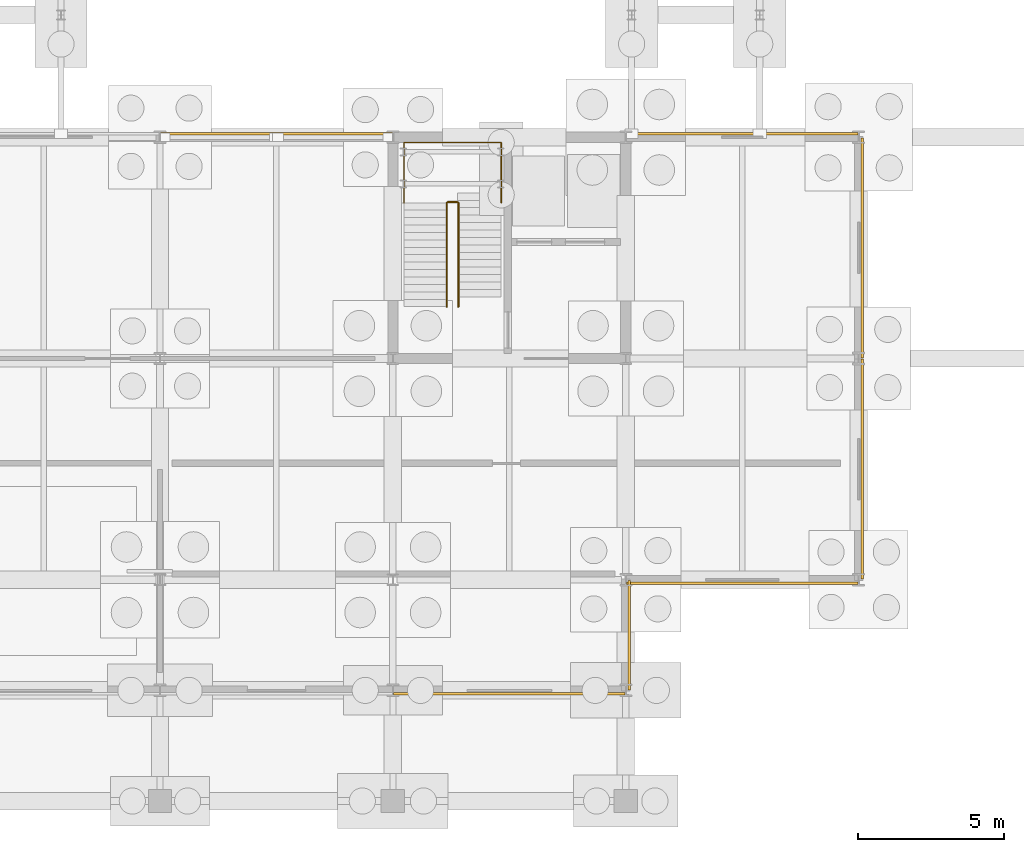
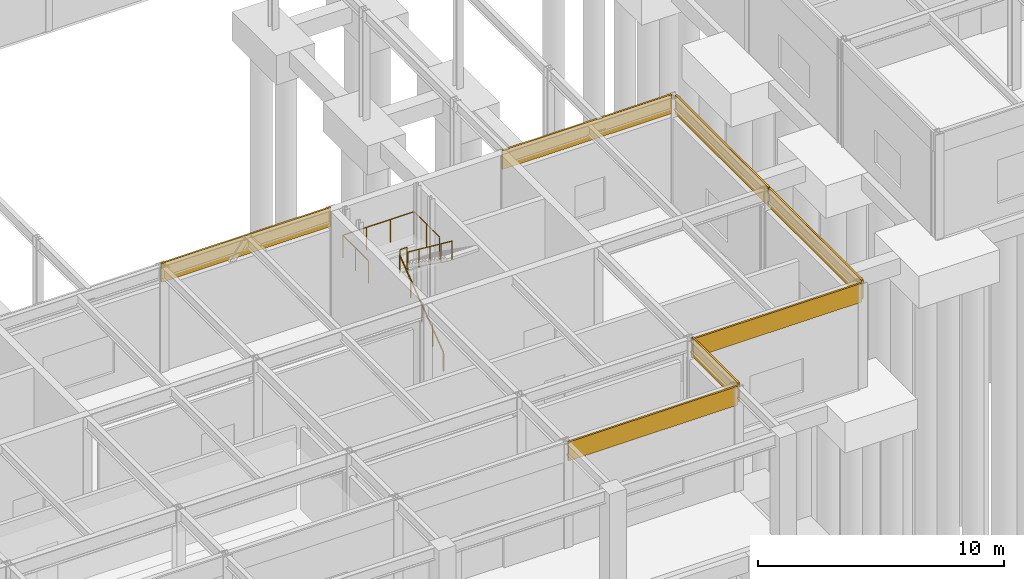
# One storey, part 53 of 62: 7 coverings, 4 railings.
"""IFC4 building model written with IfcOpenShell, lengths in metres."""

from ifc_helpers import new_model, si_unit, direction, frame, origin, origin_2d, place, context, subcontext, project, spatial, rectangle, circle, extrude, material, layer, layer_set, type_object, element, save


model = new_model("IFC4")

# Units and contexts
model_context = context("Model", 3, precision=1e-05, world=origin(), true_north=direction((0.0, 1.0)))
body_context = subcontext(model_context, "Body", "Model", "MODEL_VIEW")
ifc_project = project(units=[si_unit("LENGTHUNIT", "METRE"), si_unit("AREAUNIT", "SQUARE_METRE"), si_unit("VOLUMEUNIT", "CUBIC_METRE"), si_unit("PLANEANGLEUNIT", "RADIAN"), si_unit("MASSUNIT", "GRAM", prefix="KILO")], contexts=[model_context])

# Site, building, storey
site_placement = place(None, origin())
site = spatial("IfcSite", under=ifc_project, at=site_placement, CompositionType="ELEMENT")
building_placement = place(site_placement, origin())
building = spatial("IfcBuilding", under=site, at=building_placement, Name="Zulena Civic Courthouse", CompositionType="ELEMENT")
storey_placement = place(building_placement, origin())
storey = spatial("IfcBuildingStorey", under=building, at=storey_placement, Name="L00", CompositionType="ELEMENT", Elevation=0.0)

# Railings
ifc_material_1 = material(Name="Brushed architectural steel ASTM A36", Category="steel")
railing_type_1 = type_object("IfcRailingType", Name="InteriorGuardrail_1150", PredefinedType="GUARDRAIL", material=ifc_material_1)
railing_1_placement = place(storey_placement, frame((44.3798828125, 20.549560546875, 2.699951171875)))
element("IfcRailing", 1, at=railing_1_placement, inside=storey, type_object=railing_type_1, Name="gr:lnd:K2B:L00", PredefinedType="GUARDRAIL", context=body_context, shape_type="SweptSolid", body=[
    extrude(circle(Radius=0.02392578125, at=origin_2d()), frame((0.0, 0.00390625, 1.1259765625), z_axis=(0.0, 1.0, 0.0), x_axis=(-1.0, 0.0, 0.0)), (0.0, 0.0, 1.0), 2.0625),
    extrude(circle(Radius=0.02392578125, at=origin_2d()), frame((0.00390625, 2.070556640625, 1.1259765625), z_axis=(1.0, 0.0, 0.0), x_axis=(0.0, 1.0, 0.0)), (0.0, 0.0, 1.0), 3.33203125),
    extrude(circle(Radius=0.02392578125, at=origin_2d()), frame((3.340087890625, 2.066650390625, 1.1259765625), z_axis=(0.0, -1.0, 0.0), x_axis=(1.0, 0.0, 0.0)), (0.0, 0.0, 1.0), 2.0625),
    extrude(circle(Radius=0.02099609375, at=origin_2d()), origin(), (0.0, 0.0, 1.0), 1.097900390625),
    extrude(circle(Radius=0.02099609375, at=origin_2d()), frame((0.0, 1.03515625, 0.0)), (0.0, 0.0, 1.0), 1.097900390625),
    extrude(circle(Radius=0.02099609375, at=origin_2d()), frame((0.0, 2.070556640625, 0.0)), (0.0, 0.0, 1.0), 1.097900390625),
    extrude(circle(Radius=0.02099609375, at=origin_2d()), frame((1.11328125, 2.070556640625, 0.0)), (0.0, 0.0, 1.0), 1.097900390625),
    extrude(circle(Radius=0.02099609375, at=origin_2d()), frame((2.226806640625, 2.070556640625, 0.0)), (0.0, 0.0, 1.0), 1.097900390625),
    extrude(circle(Radius=0.02099609375, at=origin_2d()), frame((3.340087890625, 2.070556640625, 0.0)), (0.0, 0.0, 1.0), 1.097900390625),
    extrude(circle(Radius=0.02099609375, at=origin_2d()), frame((3.340087890625, 1.03515625, 0.0)), (0.0, 0.0, 1.0), 1.097900390625),
    extrude(circle(Radius=0.02099609375, at=origin_2d()), frame((3.340087890625, 0.0, 0.0)), (0.0, 0.0, 1.0), 1.097900390625),
])
railing_2_placement = place(storey_placement, frame((45.8798828125, 20.570068359375, 2.699951171875)))
element("IfcRailing", 2, at=railing_2_placement, inside=storey, type_object=railing_type_1, Name="gr:lndslot:K2B:L00", PredefinedType="GUARDRAIL", context=body_context, shape_type="SweptSolid", body=[
    extrude(circle(Radius=0.02392578125, at=origin_2d()), frame((0.00390625, 0.0, 1.1259765625), z_axis=(1.0, 0.0, 0.0), x_axis=(0.0, 1.0, 0.0)), (0.0, 0.0, 1.0), 0.33203125),
    extrude(circle(Radius=0.02099609375, at=origin_2d()), origin(), (0.0, 0.0, 1.0), 1.097900390625),
    extrude(circle(Radius=0.02099609375, at=origin_2d()), frame((0.340087890625, 0.0, 0.0)), (0.0, 0.0, 1.0), 1.097900390625),
])

# Coverings
ifc_material_2 = material(Name="White architectural precast concrete C40/50", Category="concrete")
ifc_layer = layer(ifc_material_2, 0.0849609375)
ifc_layer_set = layer_set([ifc_layer], Name="White architectural precast concrete C40/50")
covering_type = type_object("IfcCoveringType", Name="PrecastSpandrelCladding_85", PredefinedType="CLADDING", material=ifc_layer_set)
for number, where, z_axis, x_axis, name in (
    (3, (40.0, 22.919921875, 4.25), (0.0, 0.0, 1.0), (1.0, 0.0, 0.0), "clad:sp:V2:L00:1:4"),
    (4, (56.0, 22.919921875, 4.25), (0.0, 0.0, 1.0), (1.0, 0.0, 0.0), "clad:sp:V2:L00:1:6"),
):
    element("IfcCovering", number, at=place(storey_placement, frame(where, z_axis=z_axis, x_axis=x_axis)), inside=storey, type_object=covering_type, Name=name, PredefinedType="CLADDING", context=body_context, shape_type="SweptSolid", body=[
        extrude(rectangle(XDim=7.9599609375, YDim=0.0849609375, at=origin_2d()), origin(), (0.0, 0.0, 1.0), 0.93994140625),
    ])
for number, where, z_axis, x_axis, name in (
    (5, (60.1201171875, 19.0, 4.25), (0.0, 0.0, 1.0), (0.0, -1.0, 0.0), "clad:sp:V2:L00:2:0"),
    (6, (60.1201171875, 11.39990234375, 4.25), (0.0, 0.0, 1.0), (0.0, -1.0, 0.0), "clad:sp:V2:L00:2:1"),
):
    element("IfcCovering", number, at=place(storey_placement, frame(where, z_axis=z_axis, x_axis=x_axis)), inside=storey, type_object=covering_type, Name=name, PredefinedType="CLADDING", context=body_context, shape_type="SweptSolid", body=[
        extrude(rectangle(XDim=7.56005859375, YDim=0.0849609375, at=origin_2d()), origin(), (0.0, 0.0, 1.0), 0.93994140625),
    ])
covering_1_placement = place(storey_placement, frame((56.0, 7.47998046875, 4.25), z_axis=(0.0, 0.0, 1.0), x_axis=(-1.0, 0.0, 0.0)))
element("IfcCovering", 7, at=covering_1_placement, inside=storey, type_object=covering_type, Name="clad:sp:V2:L00:3:0", PredefinedType="CLADDING", context=body_context, shape_type="SweptSolid", body=[
    extrude(rectangle(XDim=7.9599609375, YDim=0.0849609375, at=origin_2d()), origin(), (0.0, 0.0, 1.0), 0.93994140625),
])
covering_2_placement = place(storey_placement, frame((52.1201171875, 5.699951171875, 4.25), z_axis=(0.0, 0.0, 1.0), x_axis=(0.0, -1.0, 0.0)))
element("IfcCovering", 8, at=covering_2_placement, inside=storey, type_object=covering_type, Name="clad:sp:V2:L00:4:0", PredefinedType="CLADDING", context=body_context, shape_type="SweptSolid", body=[
    extrude(rectangle(XDim=3.760009765625, YDim=0.0849609375, at=origin_2d()), origin(), (0.0, 0.0, 1.0), 0.93994140625),
])
covering_3_placement = place(storey_placement, frame((48.0, 3.679931640625, 4.25), z_axis=(0.0, 0.0, 1.0), x_axis=(-1.0, 0.0, 0.0)))
element("IfcCovering", 9, at=covering_3_placement, inside=storey, type_object=covering_type, Name="clad:sp:V2:L00:5:0", PredefinedType="CLADDING", context=body_context, shape_type="SweptSolid", body=[
    extrude(rectangle(XDim=7.9599609375, YDim=0.0849609375, at=origin_2d()), origin(), (0.0, 0.0, 1.0), 0.93994140625),
])

# Railings
railing_type_2 = type_object("IfcRailingType", Name="StairHandrail_920", PredefinedType="HANDRAIL", material=ifc_material_1)
railing_3_placement = place(storey_placement, frame((45.85009765625, 16.97998046875, 0.0)))
element("IfcRailing", 10, at=railing_3_placement, inside=storey, type_object=railing_type_2, Name="hr:K2B:L00:1", PredefinedType="HANDRAIL", context=body_context, shape_type="SweptSolid", body=[
    extrude(circle(Radius=0.02392578125, at=origin_2d()), frame((0.0, 0.003173828125, 0.898193359375), z_axis=(0.0, 0.797551790998, 0.603250479218), x_axis=(-1.0, 0.0, 0.0)), (0.0, 0.0, 1.0), 4.4677734375),
    extrude(circle(Radius=0.02099609375, at=origin_2d()), origin(), (0.0, 0.0, 1.0), 0.867919921875),
    extrude(circle(Radius=0.02099609375, at=origin_2d()), frame((0.0, 0.892333984375, 0.675048828125)), (0.0, 0.0, 1.0), 0.867919921875),
    extrude(circle(Radius=0.02099609375, at=origin_2d()), frame((0.0, 1.78466796875, 1.35009765625)), (0.0, 0.0, 1.0), 0.867919921875),
    extrude(circle(Radius=0.02099609375, at=origin_2d()), frame((0.0, 2.67724609375, 2.02490234375)), (0.0, 0.0, 1.0), 0.867919921875),
    extrude(circle(Radius=0.02099609375, at=origin_2d()), frame((0.0, 3.569580078125, 2.699951171875)), (0.0, 0.0, 1.0), 0.867919921875),
])
railing_4_placement = place(storey_placement, frame((46.25, 20.549560546875, 2.699951171875)))
element("IfcRailing", 11, at=railing_4_placement, inside=storey, type_object=railing_type_2, Name="hr:K2B:L00:2", PredefinedType="HANDRAIL", context=body_context, shape_type="SweptSolid", body=[
    extrude(circle(Radius=0.02392578125, at=origin_2d()), frame((0.0, -0.003173828125, 0.898193359375), z_axis=(0.0, -0.797551790998, 0.603250479218), x_axis=(1.0, 0.0, 0.0)), (0.0, 0.0, 1.0), 4.4677734375),
    extrude(circle(Radius=0.02099609375, at=origin_2d()), origin(), (0.0, 0.0, 1.0), 0.867919921875),
    extrude(circle(Radius=0.02099609375, at=origin_2d()), frame((0.0, -0.892333984375, 0.675048828125)), (0.0, 0.0, 1.0), 0.867919921875),
    extrude(circle(Radius=0.02099609375, at=origin_2d()), frame((0.0, -1.78466796875, 1.35009765625)), (0.0, 0.0, 1.0), 0.867919921875),
    extrude(circle(Radius=0.02099609375, at=origin_2d()), frame((0.0, -2.67724609375, 2.02490234375)), (0.0, 0.0, 1.0), 0.867919921875),
    extrude(circle(Radius=0.02099609375, at=origin_2d()), frame((0.0, -3.569580078125, 2.699951171875)), (0.0, 0.0, 1.0), 0.867919921875),
])

save(model, "model.ifc")
